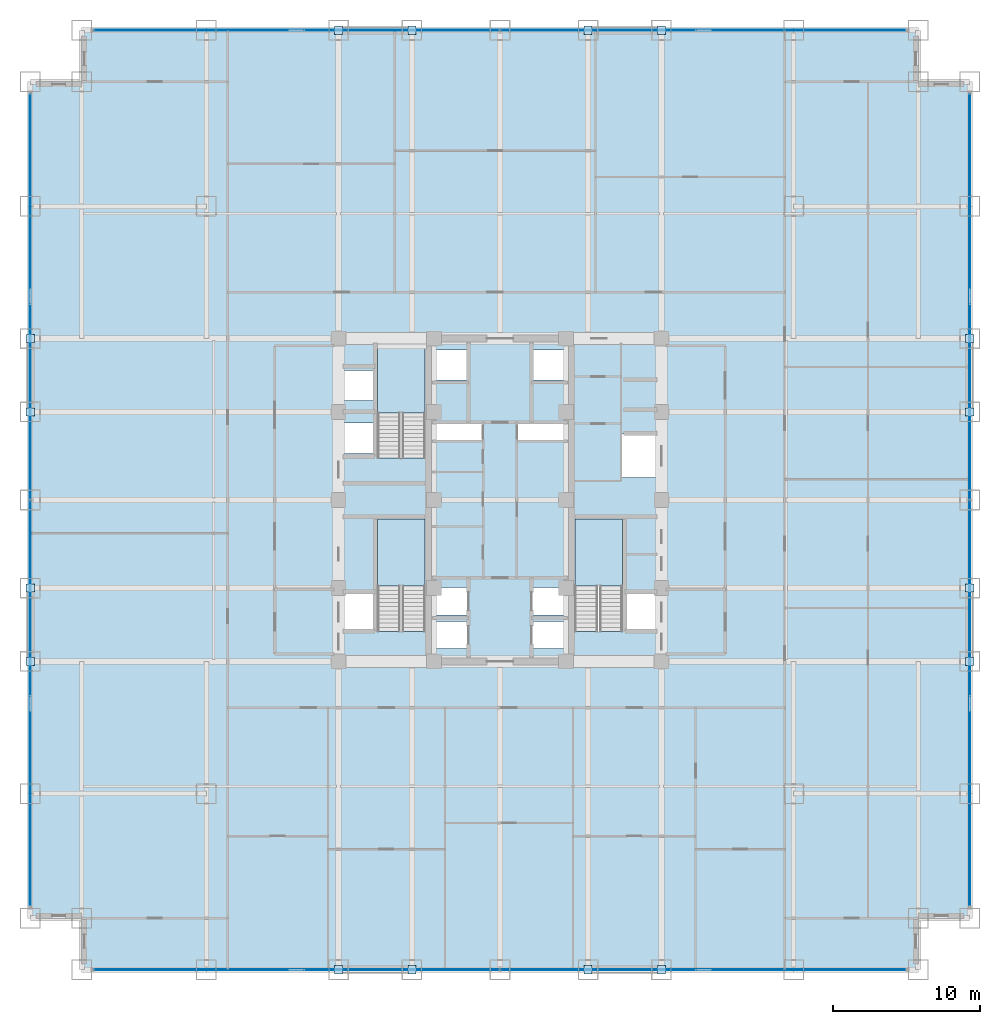
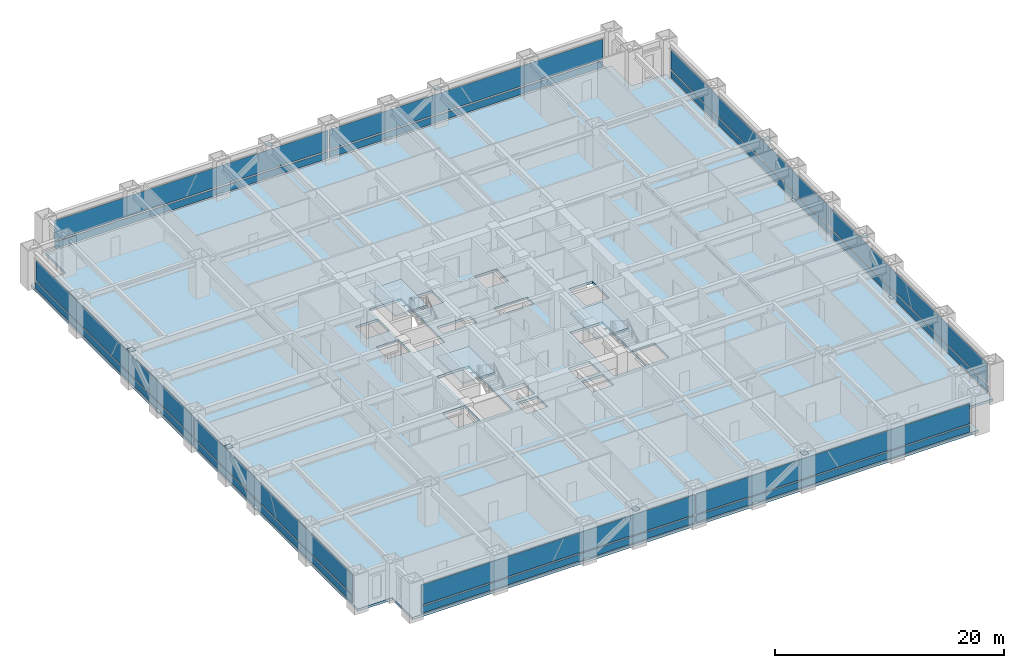
# One storey, part 22 of 28: 32 plates, 4 slabs, 7 elements without a shape of their own.
"""IFC4 building model written with IfcOpenShell, lengths in metres."""

import ifcopenshell
import ifcopenshell.guid

model = None  # the IFC model being written
_history = None  # IfcOwnerHistory: only IFC2X3 demands one
_inside = {}  # id of a spatial element -> (the spatial element, [elements in it])
_under = {}  # id of a project, library or spatial element -> (it, [spatial elements below it])
_declared = {}  # id of a project -> (the project, [libraries it declares])
_typed = {}  # id of a type object -> (the type object, [elements of that type])
_made_of = {}  # id of a material, layer set ... -> (it, [elements and type objects made of it])


def new_model(schema):
    """Start an empty IFC model of exactly this schema.

    Asked for "IFC4X3", IfcOpenShell would pick the latest addendum, in which some entities
    have other attributes; the version numbers below select the first issue.
    IFC2X3 requires an IfcOwnerHistory on every rooted entity: one is made here for all.
    """
    global model, _history
    if schema == "IFC4X3":
        model = ifcopenshell.file(schema_version=(4, 3, 0, 0))
    else:
        model = ifcopenshell.file(schema=schema)
    _inside.clear()
    _under.clear()
    _declared.clear()
    _typed.clear()
    _made_of.clear()
    _history = None
    if model.schema == "IFC2X3":
        org = make("IfcOrganization", Name="unknown")
        user = make(
            "IfcPersonAndOrganization",
            ThePerson=make("IfcPerson", FamilyName="unknown"),
            TheOrganization=org,
        )
        app = make(
            "IfcApplication",
            ApplicationDeveloper=org,
            Version="unknown",
            ApplicationFullName="unknown",
            ApplicationIdentifier="unknown",
        )
        _history = make(
            "IfcOwnerHistory",
            OwningUser=user,
            OwningApplication=app,
            ChangeAction="ADDED",
            CreationDate=0,
        )
    return model


def make(cls, **values):
    """One entity of the class cls with the attributes given. An attribute that is None is left unset."""
    return model.create_entity(
        cls, **{name: value for name, value in values.items() if value is not None}
    )


def rooted(cls, **values):
    """An entity with a GlobalId (a new one), such as an element, a storey or a relation."""
    return make(cls, GlobalId=ifcopenshell.guid.new(), OwnerHistory=_history, **values)


def si_unit(unit_type, name, prefix=None):
    """IfcSIUnit, for example si_unit("LENGTHUNIT", "METRE", prefix="MILLI")."""
    return make("IfcSIUnit", UnitType=unit_type, Prefix=prefix, Name=name)


def assignment(units):
    """IfcUnitAssignment: the units of a project."""
    return None if units is None else make("IfcUnitAssignment", Units=units)


def point(xyz):
    """IfcCartesianPoint."""
    return None if xyz is None else make("IfcCartesianPoint", Coordinates=xyz)


def direction(xyz):
    """IfcDirection."""
    return None if xyz is None else make("IfcDirection", DirectionRatios=xyz)


def frame(location, z_axis=None, x_axis=None):
    """IfcAxis2Placement3D, a coordinate frame: its origin and axes. An axis left out is left unset."""
    return make(
        "IfcAxis2Placement3D",
        Location=point(location),
        Axis=direction(z_axis),
        RefDirection=direction(x_axis),
    )


def frame_2d(location, x_axis=None):
    """IfcAxis2Placement2D, a coordinate frame in the plane: its origin and x axis."""
    return make(
        "IfcAxis2Placement2D", Location=point(location), RefDirection=direction(x_axis)
    )


def origin():
    """The frame at (0, 0, 0) with its axes left unset."""
    return frame((0.0, 0.0, 0.0))


def origin_2d():
    """The frame at (0, 0) in the plane with its x axis left unset."""
    return frame_2d((0.0, 0.0))


def place(relative_to, where):
    """IfcLocalPlacement: puts the frame where relative to a parent placement (None: the world)."""
    return make(
        "IfcLocalPlacement", PlacementRelTo=relative_to, RelativePlacement=where
    )


def context(
    kind, dimensions, precision=None, world=None, true_north=None, identifier=None
):
    """IfcGeometricRepresentationContext, for example the 3D "Model" context."""
    return make(
        "IfcGeometricRepresentationContext",
        ContextIdentifier=identifier,
        ContextType=kind,
        CoordinateSpaceDimension=dimensions,
        Precision=precision,
        WorldCoordinateSystem=world,
        TrueNorth=true_north,
    )


def subcontext(parent, identifier, kind, view, scale=None):
    """IfcGeometricRepresentationSubContext, for example "Body" below "Model"."""
    return make(
        "IfcGeometricRepresentationSubContext",
        ContextIdentifier=identifier,
        ContextType=kind,
        ParentContext=parent,
        TargetScale=scale,
        TargetView=view,
    )


def project(units=None, contexts=None):
    """IfcProject with its units and contexts."""
    return rooted(
        "IfcProject",
        Name="project",
        RepresentationContexts=contexts,
        UnitsInContext=assignment(units),
    )


def spatial(cls, under=None, at=None, **own):
    """A site, building, storey or space (cls), placed at a placement, below another one or the project."""
    s = rooted(cls, ObjectPlacement=at, **own)
    if under is not None:
        _under.setdefault(under.id(), (under, []))[1].append(s)
    return s


def polyline(points):
    """IfcPolyline through the points."""
    return make("IfcPolyline", Points=[point(p) for p in points])


def profile(cls, at=None, kind="AREA", **sizes):
    """A parametric profile (cls). Its sizes go by their IFC names, for example OverallWidth=200.0."""
    return make(cls, ProfileType=kind, Position=at, **sizes)


def rectangle(**sizes):
    """IfcRectangleProfileDef."""
    return profile("IfcRectangleProfileDef", **sizes)


def outline(outer, holes=None, kind="AREA"):
    """IfcArbitraryClosedProfileDef: a profile drawn as a closed curve; with holes, ...WithVoids."""
    if holes is None:
        return make("IfcArbitraryClosedProfileDef", ProfileType=kind, OuterCurve=outer)
    return make(
        "IfcArbitraryProfileDefWithVoids",
        ProfileType=kind,
        OuterCurve=outer,
        InnerCurves=holes,
    )


def extrude(swept, where, along, depth):
    """IfcExtrudedAreaSolid: the profile swept, set in the frame where, extruded along a direction by depth."""
    return make(
        "IfcExtrudedAreaSolid",
        SweptArea=swept,
        Position=where,
        ExtrudedDirection=direction(along),
        Depth=depth,
    )


def shape(context_of_items, identifier, shape_type, items):
    """IfcShapeRepresentation: the items that make up one representation, for example the "Body"."""
    return make(
        "IfcShapeRepresentation",
        ContextOfItems=context_of_items,
        RepresentationIdentifier=identifier,
        RepresentationType=shape_type,
        Items=items,
    )


def source(mapping_origin, context_of_items, identifier, shape_type, items):
    """IfcRepresentationMap: a shape defined once, which mapped items show again and again."""
    return make(
        "IfcRepresentationMap",
        MappingOrigin=mapping_origin,
        MappedRepresentation=shape(context_of_items, identifier, shape_type, items),
    )


def transform(
    local_origin,
    x_axis=None,
    y_axis=None,
    z_axis=None,
    scale=None,
    scale2=None,
    scale3=None,
    uniform=True,
):
    """IfcCartesianTransformationOperator3D, or its non-uniform kind. x_axis, y_axis, z_axis: its Axis1, 2, 3."""
    if uniform:
        return make(
            "IfcCartesianTransformationOperator3D",
            Axis1=direction(x_axis),
            Axis2=direction(y_axis),
            LocalOrigin=point(local_origin),
            Scale=scale,
            Axis3=direction(z_axis),
        )
    return make(
        "IfcCartesianTransformationOperator3DnonUniform",
        Axis1=direction(x_axis),
        Axis2=direction(y_axis),
        LocalOrigin=point(local_origin),
        Scale=scale,
        Axis3=direction(z_axis),
        Scale2=scale2,
        Scale3=scale3,
    )


def mapped(mapping_source, mapping_target):
    """IfcMappedItem: shows the shape of a source again, moved by a transform."""
    return make(
        "IfcMappedItem", MappingSource=mapping_source, MappingTarget=mapping_target
    )


def material(Name=None, Category=None):
    """IfcMaterial."""
    return make("IfcMaterial", Name=Name, Category=Category)


def layer(
    of_material, thickness, ventilated=None, Name=None, Category=None, Priority=None
):
    """IfcMaterialLayer: one layer of a wall or slab, of a material (None: an air gap)."""
    return make(
        "IfcMaterialLayer",
        Material=of_material,
        LayerThickness=thickness,
        IsVentilated=ventilated,
        Name=Name,
        Category=Category,
        Priority=Priority,
    )


def layer_set(layers, Name=None):
    """IfcMaterialLayerSet."""
    return make("IfcMaterialLayerSet", MaterialLayers=layers, LayerSetName=Name)


def made_of(thing, what):
    """Note that an element or type object is made of a material, layer set ...; save() writes the relation."""
    if what is not None:
        _made_of.setdefault(what.id(), (what, []))[1].append(thing)
    return thing


def type_object(cls, material=None, **own):
    """A type object (cls), such as IfcWallType, which elements share."""
    return made_of(rooted(cls, **own), material)


def element(
    cls,
    number,
    at=None,
    inside=None,
    cuts=None,
    type_object=None,
    material=None,
    context=None,
    identifier="Body",
    shape_type=None,
    held_by="IfcProductDefinitionShape",
    body=None,
    shapes=None,
    **own,
):
    """One element of the class cls, such as IfcWall. Its Tag is "e" and its number.

    at: its placement. inside: the storey or other place that contains it. cuts: it is an
    opening in that element (IfcRelVoidsElement). A single representation is given by context,
    identifier, shape_type and body (its items); several are given by shapes. held_by: the class
    of the entity that holds the representations. save() writes the other relations.
    """
    e = rooted(cls, Tag="e%d" % number, ObjectPlacement=at, **own)
    if body is not None:
        shapes = [shape(context, identifier, shape_type, body)]
    if shapes is not None:
        e.Representation = make(held_by, Representations=shapes)
    if inside is not None:
        _inside.setdefault(inside.id(), (inside, []))[1].append(e)
    if cuts is not None:
        rooted(
            "IfcRelVoidsElement", RelatingBuildingElement=cuts, RelatedOpeningElement=e
        )
    if type_object is not None:
        _typed.setdefault(type_object.id(), (type_object, []))[1].append(e)
    return made_of(e, material)


def aggregate(whole, parts):
    """IfcRelAggregates: a whole, such as a stair, and the parts it consists of."""
    return rooted("IfcRelAggregates", RelatingObject=whole, RelatedObjects=parts)


def save(model, path):
    """Write the relations noted so far, then the file.

    IfcRelAggregates (storeys below a building ...), IfcRelContainedInSpatialStructure (elements
    in a storey), IfcRelDefinesByType, IfcRelAssociatesMaterial and IfcRelDeclares: one each for
    every whole, place, type object, material and project.
    """
    for whole, parts in _under.values():
        aggregate(whole, parts)
    for where, things in _inside.values():
        rooted(
            "IfcRelContainedInSpatialStructure",
            RelatedElements=things,
            RelatingStructure=where,
        )
    for kind, things in _typed.values():
        rooted("IfcRelDefinesByType", RelatedObjects=things, RelatingType=kind)
    for what, things in _made_of.values():
        rooted("IfcRelAssociatesMaterial", RelatedObjects=things, RelatingMaterial=what)
    for by, libraries in _declared.values():
        rooted("IfcRelDeclares", RelatingContext=by, RelatedDefinitions=libraries)
    model.write(path)


model = new_model("IFC4")

# Units and contexts
model_context = context("Model", 3, precision=1e-05, world=origin(), true_north=direction((0.0, 1.0)))
body_context = subcontext(model_context, "Body", "Model", "MODEL_VIEW")
ifc_project = project(units=[si_unit("LENGTHUNIT", "METRE"), si_unit("AREAUNIT", "SQUARE_METRE"), si_unit("VOLUMEUNIT", "CUBIC_METRE"), si_unit("PLANEANGLEUNIT", "RADIAN"), si_unit("MASSUNIT", "GRAM", prefix="KILO")], contexts=[model_context])

# Site, building, storey
site_placement = place(None, origin())
site = spatial("IfcSite", under=ifc_project, at=site_placement, CompositionType="ELEMENT")
building_placement = place(site_placement, origin())
building = spatial("IfcBuilding", under=site, at=building_placement, Name="Khorayat Bourse Tower", CompositionType="ELEMENT")
storey_placement = place(building_placement, frame((0.0, 0.0, 83.0)))
storey = spatial("IfcBuildingStorey", under=building, at=storey_placement, Name="L18", CompositionType="ELEMENT", Elevation=83.0)

# Stair, slab
ifc_material_1 = material(Name="Concrete C40/50", Category="concrete")
stair_type = type_object("IfcStairType", Name="STR-CORE-1550", PredefinedType="HALF_TURN_STAIR", material=ifc_material_1)
stair_1_placement = place(storey_placement, origin())
stair_1 = element("IfcStair", 1, at=stair_1_placement, inside=storey, type_object=stair_type, Name="L18 Exit Stair ST-1", PredefinedType="HALF_TURN_STAIR")
ifc_layer_1 = layer(ifc_material_1, 0.199951171875)
ifc_layer_set_1 = layer_set([ifc_layer_1], Name="Concrete C40/50")
slab_type_1 = type_object("IfcSlabType", Name="SLB-LANDING-200", PredefinedType="LANDING", material=ifc_layer_set_1)
slab_1_placement = place(storey_placement, frame((0.0, 0.0, 1.89990234375)))
slab_1 = element("IfcSlab", 2, at=slab_1_placement, type_object=slab_type_1, Name="ST-1 landing 1", PredefinedType="LANDING", context=body_context, shape_type="SweptSolid", body=[
    extrude(outline(polyline([(-5.10009765625, -5.8701171875), (-5.10009765625, -1.300048828125), (-8.35009765625, -1.300048828125), (-8.35009765625, -5.8701171875), (-5.10009765625, -5.8701171875)])), origin(), (0.0, 0.0, 1.0), 0.2001953125),
])
aggregate(stair_1, [slab_1])

stair_2_placement = place(storey_placement, origin())
stair_2 = element("IfcStair", 3, at=stair_2_placement, inside=storey, type_object=stair_type, Name="L18 Exit Stair ST-2", PredefinedType="HALF_TURN_STAIR")
slab_2_placement = place(storey_placement, frame((0.0, 0.0, 1.89990234375)))
slab_2 = element("IfcSlab", 4, at=slab_2_placement, type_object=slab_type_1, Name="ST-2 landing 1", PredefinedType="LANDING", context=body_context, shape_type="SweptSolid", body=[
    extrude(outline(polyline([(-5.10009765625, 5.929931640625), (-5.10009765625, 10.5), (-8.35009765625, 10.5), (-8.35009765625, 5.929931640625), (-5.10009765625, 5.929931640625)])), origin(), (0.0, 0.0, 1.0), 0.2001953125),
])
aggregate(stair_2, [slab_2])

stair_3_placement = place(storey_placement, origin())
stair_3 = element("IfcStair", 5, at=stair_3_placement, inside=storey, type_object=stair_type, Name="L18 Exit Stair ST-3", PredefinedType="HALF_TURN_STAIR")
slab_3_placement = place(storey_placement, frame((0.0, 0.0, 1.89990234375)))
slab_3 = element("IfcSlab", 6, at=slab_3_placement, type_object=slab_type_1, Name="ST-3 landing 1", PredefinedType="LANDING", context=body_context, shape_type="SweptSolid", body=[
    extrude(outline(polyline([(8.35009765625, -5.8701171875), (8.35009765625, -1.300048828125), (5.10009765625, -1.300048828125), (5.10009765625, -5.8701171875), (8.35009765625, -5.8701171875)])), origin(), (0.0, 0.0, 1.0), 0.2001953125),
])
aggregate(stair_3, [slab_3])

# Slab
ifc_layer_2 = layer(ifc_material_1, 0.260009765625)
ifc_layer_set_2 = layer_set([ifc_layer_2], Name="Concrete C40/50")
slab_type_2 = type_object("IfcSlabType", Name="SLB-TRADE-260", PredefinedType="FLOOR", material=ifc_layer_set_2)
slab_4_placement = place(storey_placement, frame((0.0, 0.0, -0.260009765625)))
element("IfcSlab", 7, at=slab_4_placement, inside=storey, type_object=slab_type_2, Name="L18 Main Floor Slab", PredefinedType="FLOOR", context=body_context, shape_type="SweptSolid", body=[
    extrude(outline(polyline([(-28.5, -32.0), (28.5, -32.0), (28.5, -28.5), (32.0, -28.5), (32.0, 28.5), (28.5, 28.5), (28.5, 32.0), (-28.5, 32.0), (-28.5, 28.5), (-32.0, 28.5), (-32.0, -28.5), (-28.5, -28.5), (-28.5, -32.0)]), holes=[polyline([(-8.35009765625, -8.945068359375), (-5.10009765625, -8.945068359375), (-5.10009765625, -1.300048828125), (-8.35009765625, -1.300048828125), (-8.35009765625, -8.945068359375)]), polyline([(-8.35009765625, 2.85498046875), (-5.10009765625, 2.85498046875), (-5.10009765625, 10.5), (-8.35009765625, 10.5), (-8.35009765625, 2.85498046875)]), polyline([(5.10009765625, -8.945068359375), (8.35009765625, -8.945068359375), (8.35009765625, -1.300048828125), (5.10009765625, -1.300048828125), (5.10009765625, -8.945068359375)]), polyline([(-4.3798828125, -10.1298828125), (-2.219970703125, -10.1298828125), (-2.219970703125, -8.27001953125), (-4.3798828125, -8.27001953125), (-4.3798828125, -10.1298828125)]), polyline([(2.219970703125, -10.1298828125), (4.3798828125, -10.1298828125), (4.3798828125, -8.27001953125), (2.219970703125, -8.27001953125), (2.219970703125, -10.1298828125)]), polyline([(-4.3798828125, -7.830078125), (-2.219970703125, -7.830078125), (-2.219970703125, -5.969970703125), (-4.3798828125, -5.969970703125), (-4.3798828125, -7.830078125)]), polyline([(2.219970703125, -7.830078125), (4.3798828125, -7.830078125), (4.3798828125, -5.969970703125), (2.219970703125, -5.969970703125), (2.219970703125, -7.830078125)]), polyline([(-4.3798828125, 8.169921875), (-2.1201171875, 8.169921875), (-2.1201171875, 10.22998046875), (-4.3798828125, 10.22998046875), (-4.3798828125, 8.169921875)]), polyline([(2.1201171875, 8.169921875), (4.3798828125, 8.169921875), (4.3798828125, 10.22998046875), (2.1201171875, 10.22998046875), (2.1201171875, 8.169921875)]), polyline([(-10.679931640625, 3.169921875), (-8.419921875, 3.169921875), (-8.419921875, 5.22998046875), (-10.679931640625, 5.22998046875), (-10.679931640625, 3.169921875)]), polyline([(-10.679931640625, 6.77001953125), (-8.419921875, 6.77001953125), (-8.419921875, 8.830078125), (-10.679931640625, 8.830078125), (-10.679931640625, 6.77001953125)]), polyline([(-10.679931640625, -8.929931640625), (-8.419921875, -8.929931640625), (-8.419921875, -6.3701171875), (-10.679931640625, -6.3701171875), (-10.679931640625, -8.929931640625)]), polyline([(8.419921875, -8.929931640625), (10.679931640625, -8.929931640625), (10.679931640625, -6.3701171875), (8.419921875, -6.3701171875), (8.419921875, -8.929931640625)]), polyline([(8.320068359375, 1.52001953125), (10.679931640625, 1.52001953125), (10.679931640625, 4.47998046875), (8.320068359375, 4.47998046875), (8.320068359375, 1.52001953125)]), polyline([(-4.56005859375, 4.080078125), (-1.18994140625, 4.080078125), (-1.18994140625, 5.219970703125), (-4.56005859375, 5.219970703125), (-4.56005859375, 4.080078125)]), polyline([(1.18994140625, 4.080078125), (4.56005859375, 4.080078125), (4.56005859375, 5.219970703125), (1.18994140625, 5.219970703125), (1.18994140625, 4.080078125)])]), origin(), (0.0, 0.0, 1.0), 0.260009765625),
])

# Plates
ifc_material_2 = material(Name="Steel EN 10025-2 S355J2", Category="steel")
ifc_layer_3 = layer(ifc_material_2, 0.02490234375)
ifc_layer_set_3 = layer_set([ifc_layer_3], Name="Steel EN 10025-2 S355J2")
plate_type_1 = type_object("IfcPlateType", Name="PLT-ENDCAP-25", PredefinedType="SHEET", material=ifc_layer_set_3)
shared_shape_1 = source(origin(), body_context, "Body", "SweptSolid", [
    extrude(rectangle(XDim=0.56005859375, YDim=0.56005859375, at=origin_2d()), origin(), (0.0, 0.0, 1.0), 0.02490234375),
])
for number, where, z_axis, x_axis, name in (
    (8, (-11.0, -32.0, 0.237548828125), (0.0, 0.0, 1.0), (1.0, 0.0, 0.0), "L18 Perimeter Brace End Plate 001"),
    (9, (-6.0, -32.0, 3.677490234375), (0.0, 0.0, 1.0), (1.0, 0.0, 0.0), "L18 Perimeter Brace End Plate 002"),
    (10, (6.0, -32.0, 0.237548828125), (0.0, 0.0, 1.0), (1.0, 0.0, 0.0), "L18 Perimeter Brace End Plate 003"),
    (11, (11.0, -32.0, 3.677490234375), (0.0, 0.0, 1.0), (1.0, 0.0, 0.0), "L18 Perimeter Brace End Plate 004"),
    (12, (-11.0, 32.0, 0.237548828125), (0.0, 0.0, 1.0), (1.0, 0.0, 0.0), "L18 Perimeter Brace End Plate 005"),
    (13, (-6.0, 32.0, 3.677490234375), (0.0, 0.0, 1.0), (1.0, 0.0, 0.0), "L18 Perimeter Brace End Plate 006"),
    (14, (6.0, 32.0, 0.237548828125), (0.0, 0.0, 1.0), (1.0, 0.0, 0.0), "L18 Perimeter Brace End Plate 007"),
    (15, (11.0, 32.0, 3.677490234375), (0.0, 0.0, 1.0), (1.0, 0.0, 0.0), "L18 Perimeter Brace End Plate 008"),
    (16, (-32.0, -11.0, 0.237548828125), (0.0, 0.0, 1.0), (1.0, 0.0, 0.0), "L18 Perimeter Brace End Plate 009"),
    (17, (-32.0, -6.0, 3.677490234375), (0.0, 0.0, 1.0), (1.0, 0.0, 0.0), "L18 Perimeter Brace End Plate 010"),
    (18, (-32.0, 6.0, 0.237548828125), (0.0, 0.0, 1.0), (1.0, 0.0, 0.0), "L18 Perimeter Brace End Plate 011"),
    (19, (-32.0, 11.0, 3.677490234375), (0.0, 0.0, 1.0), (1.0, 0.0, 0.0), "L18 Perimeter Brace End Plate 012"),
    (20, (32.0, -11.0, 0.237548828125), (0.0, 0.0, 1.0), (1.0, 0.0, 0.0), "L18 Perimeter Brace End Plate 013"),
    (21, (32.0, -6.0, 3.677490234375), (0.0, 0.0, 1.0), (1.0, 0.0, 0.0), "L18 Perimeter Brace End Plate 014"),
    (22, (32.0, 6.0, 0.237548828125), (0.0, 0.0, 1.0), (1.0, 0.0, 0.0), "L18 Perimeter Brace End Plate 015"),
    (23, (32.0, 11.0, 3.677490234375), (0.0, 0.0, 1.0), (1.0, 0.0, 0.0), "L18 Perimeter Brace End Plate 016"),
):
    element("IfcPlate", number, at=place(storey_placement, frame(where, z_axis=z_axis, x_axis=x_axis)), inside=storey, type_object=plate_type_1, Name=name, PredefinedType="SHEET", context=body_context, shape_type="MappedRepresentation", body=[
        mapped(shared_shape_1, transform((0.0, 0.0, 0.0), scale=1.0)),
    ])

# Curtain wall, plates
ifc_material_3 = material(Name="Aluminium EN AW-6063 T6", Category="aluminium")
curtain_wall_type = type_object("IfcCurtainWallType", Name="CW-SYS-02", PredefinedType="NOTDEFINED", material=ifc_material_3)
curtain_wall_1_placement = place(storey_placement, origin())
curtain_wall_1 = element("IfcCurtainWall", 24, at=curtain_wall_1_placement, inside=storey, type_object=curtain_wall_type, Name="L18 Curtain Wall CW-L18-S1", PredefinedType="NOTDEFINED")
ifc_material_4 = material(Name="Honed desert limestone insulated spandrel", Category="masonry")
ifc_layer_4 = layer(ifc_material_4, 0.06494140625)
ifc_layer_set_4 = layer_set([ifc_layer_4], Name="Honed desert limestone insulated spandrel")
plate_type_2 = type_object("IfcPlateType", Name="CWP-SPAND-03", PredefinedType="CURTAIN_PANEL", material=ifc_layer_set_4)
shared_shape_2 = source(origin(), body_context, "Body", "SweptSolid", [
    extrude(rectangle(XDim=27.5400390625, YDim=0.06494140625, at=origin_2d()), origin(), (0.0, 0.0, 1.0), 0.739990234375),
])
plate_1_placement = place(storey_placement, frame((-13.840087890625, -32.0, 0.14013671875), z_axis=(0.0, 0.0, 1.0), x_axis=(1.0, 0.0, 0.0)))
plate_1 = element("IfcPlate", 25, at=plate_1_placement, type_object=plate_type_2, Name="CW-L18-S1 Spandrel Panel 1-1", PredefinedType="CURTAIN_PANEL", context=body_context, shape_type="MappedRepresentation", body=[
    mapped(shared_shape_2, transform((0.0, 0.0, 0.0), scale=1.0)),
])
plate_2_placement = place(storey_placement, frame((13.840087890625, -32.0, 0.14013671875), z_axis=(0.0, 0.0, 1.0), x_axis=(1.0, 0.0, 0.0)))
plate_2 = element("IfcPlate", 26, at=plate_2_placement, type_object=plate_type_2, Name="CW-L18-S1 Spandrel Panel 2-1", PredefinedType="CURTAIN_PANEL", context=body_context, shape_type="MappedRepresentation", body=[
    mapped(shared_shape_2, transform((0.0, 0.0, 0.0), scale=1.0)),
])

curtain_wall_2_placement = place(storey_placement, origin())
curtain_wall_2 = element("IfcCurtainWall", 27, at=curtain_wall_2_placement, inside=storey, type_object=curtain_wall_type, Name="L18 Curtain Wall CW-L18-N1", PredefinedType="NOTDEFINED")
plate_3_placement = place(storey_placement, frame((-13.840087890625, 32.0, 0.14013671875), z_axis=(0.0, 0.0, 1.0), x_axis=(1.0, 0.0, 0.0)))
plate_3 = element("IfcPlate", 28, at=plate_3_placement, type_object=plate_type_2, Name="CW-L18-N1 Spandrel Panel 1-1", PredefinedType="CURTAIN_PANEL", context=body_context, shape_type="MappedRepresentation", body=[
    mapped(shared_shape_2, transform((0.0, 0.0, 0.0), scale=1.0)),
])
plate_4_placement = place(storey_placement, frame((13.840087890625, 32.0, 0.14013671875), z_axis=(0.0, 0.0, 1.0), x_axis=(1.0, 0.0, 0.0)))
plate_4 = element("IfcPlate", 29, at=plate_4_placement, type_object=plate_type_2, Name="CW-L18-N1 Spandrel Panel 2-1", PredefinedType="CURTAIN_PANEL", context=body_context, shape_type="MappedRepresentation", body=[
    mapped(shared_shape_2, transform((0.0, 0.0, 0.0), scale=1.0)),
])

curtain_wall_3_placement = place(storey_placement, origin())
curtain_wall_3 = element("IfcCurtainWall", 30, at=curtain_wall_3_placement, inside=storey, type_object=curtain_wall_type, Name="L18 Curtain Wall CW-L18-W1", PredefinedType="NOTDEFINED")
plate_5_placement = place(storey_placement, frame((-32.0, -13.840087890625, 0.14013671875), z_axis=(0.0, 0.0, 1.0), x_axis=(0.0, 1.0, 0.0)))
plate_5 = element("IfcPlate", 31, at=plate_5_placement, type_object=plate_type_2, Name="CW-L18-W1 Spandrel Panel 1-1", PredefinedType="CURTAIN_PANEL", context=body_context, shape_type="MappedRepresentation", body=[
    mapped(shared_shape_2, transform((0.0, 0.0, 0.0), scale=1.0)),
])
plate_6_placement = place(storey_placement, frame((-32.0, 13.840087890625, 0.14013671875), z_axis=(0.0, 0.0, 1.0), x_axis=(0.0, 1.0, 0.0)))
plate_6 = element("IfcPlate", 32, at=plate_6_placement, type_object=plate_type_2, Name="CW-L18-W1 Spandrel Panel 2-1", PredefinedType="CURTAIN_PANEL", context=body_context, shape_type="MappedRepresentation", body=[
    mapped(shared_shape_2, transform((0.0, 0.0, 0.0), scale=1.0)),
])

curtain_wall_4_placement = place(storey_placement, origin())
curtain_wall_4 = element("IfcCurtainWall", 33, at=curtain_wall_4_placement, inside=storey, type_object=curtain_wall_type, Name="L18 Curtain Wall CW-L18-E1", PredefinedType="NOTDEFINED")
plate_7_placement = place(storey_placement, frame((32.0, -13.840087890625, 0.14013671875), z_axis=(0.0, 0.0, 1.0), x_axis=(0.0, 1.0, 0.0)))
plate_7 = element("IfcPlate", 34, at=plate_7_placement, type_object=plate_type_2, Name="CW-L18-E1 Spandrel Panel 1-1", PredefinedType="CURTAIN_PANEL", context=body_context, shape_type="MappedRepresentation", body=[
    mapped(shared_shape_2, transform((0.0, 0.0, 0.0), scale=1.0)),
])
plate_8_placement = place(storey_placement, frame((32.0, 13.840087890625, 0.14013671875), z_axis=(0.0, 0.0, 1.0), x_axis=(0.0, 1.0, 0.0)))
plate_8 = element("IfcPlate", 35, at=plate_8_placement, type_object=plate_type_2, Name="CW-L18-E1 Spandrel Panel 2-1", PredefinedType="CURTAIN_PANEL", context=body_context, shape_type="MappedRepresentation", body=[
    mapped(shared_shape_2, transform((0.0, 0.0, 0.0), scale=1.0)),
])

# Plate
ifc_material_5 = material(Name="Low-E solar-control laminated double glazing", Category="glass")
ifc_layer_5 = layer(ifc_material_5, 0.0419921875)
ifc_layer_set_5 = layer_set([ifc_layer_5], Name="Low-E solar-control laminated double glazing")
plate_type_3 = type_object("IfcPlateType", Name="CWP-FACET-02", PredefinedType="CURTAIN_PANEL", material=ifc_layer_set_5)
shared_shape_3 = source(origin(), body_context, "Body", "SweptSolid", [
    extrude(rectangle(XDim=27.5400390625, YDim=0.0419921875, at=origin_2d()), origin(), (0.0, 0.0, 1.0), 2.1298828125),
])
plate_9_placement = place(storey_placement, frame((-13.840087890625, -32.0, 1.02001953125), z_axis=(0.0, 0.0, 1.0), x_axis=(1.0, 0.0, 0.0)))
plate_9 = element("IfcPlate", 36, at=plate_9_placement, type_object=plate_type_3, Name="CW-L18-S1 Vision Panel 1-2", PredefinedType="CURTAIN_PANEL", context=body_context, shape_type="MappedRepresentation", body=[
    mapped(shared_shape_3, transform((0.0, 0.0, 0.0), scale=1.0)),
])

plate_10_placement = place(storey_placement, frame((13.840087890625, -32.0, 1.02001953125), z_axis=(0.0, 0.0, 1.0), x_axis=(1.0, 0.0, 0.0)))
plate_10 = element("IfcPlate", 37, at=plate_10_placement, type_object=plate_type_3, Name="CW-L18-S1 Vision Panel 2-2", PredefinedType="CURTAIN_PANEL", context=body_context, shape_type="MappedRepresentation", body=[
    mapped(shared_shape_3, transform((0.0, 0.0, 0.0), scale=1.0)),
])

aggregate(curtain_wall_1, [plate_1, plate_9, plate_2, plate_10])

plate_11_placement = place(storey_placement, frame((-13.840087890625, 32.0, 1.02001953125), z_axis=(0.0, 0.0, 1.0), x_axis=(1.0, 0.0, 0.0)))
plate_11 = element("IfcPlate", 38, at=plate_11_placement, type_object=plate_type_3, Name="CW-L18-N1 Vision Panel 1-2", PredefinedType="CURTAIN_PANEL", context=body_context, shape_type="MappedRepresentation", body=[
    mapped(shared_shape_3, transform((0.0, 0.0, 0.0), scale=1.0)),
])

plate_12_placement = place(storey_placement, frame((13.840087890625, 32.0, 1.02001953125), z_axis=(0.0, 0.0, 1.0), x_axis=(1.0, 0.0, 0.0)))
plate_12 = element("IfcPlate", 39, at=plate_12_placement, type_object=plate_type_3, Name="CW-L18-N1 Vision Panel 2-2", PredefinedType="CURTAIN_PANEL", context=body_context, shape_type="MappedRepresentation", body=[
    mapped(shared_shape_3, transform((0.0, 0.0, 0.0), scale=1.0)),
])

aggregate(curtain_wall_2, [plate_3, plate_11, plate_4, plate_12])

plate_13_placement = place(storey_placement, frame((-32.0, -13.840087890625, 1.02001953125), z_axis=(0.0, 0.0, 1.0), x_axis=(0.0, 1.0, 0.0)))
plate_13 = element("IfcPlate", 40, at=plate_13_placement, type_object=plate_type_3, Name="CW-L18-W1 Vision Panel 1-2", PredefinedType="CURTAIN_PANEL", context=body_context, shape_type="MappedRepresentation", body=[
    mapped(shared_shape_3, transform((0.0, 0.0, 0.0), scale=1.0)),
])

plate_14_placement = place(storey_placement, frame((-32.0, 13.840087890625, 1.02001953125), z_axis=(0.0, 0.0, 1.0), x_axis=(0.0, 1.0, 0.0)))
plate_14 = element("IfcPlate", 41, at=plate_14_placement, type_object=plate_type_3, Name="CW-L18-W1 Vision Panel 2-2", PredefinedType="CURTAIN_PANEL", context=body_context, shape_type="MappedRepresentation", body=[
    mapped(shared_shape_3, transform((0.0, 0.0, 0.0), scale=1.0)),
])

aggregate(curtain_wall_3, [plate_5, plate_13, plate_6, plate_14])

plate_15_placement = place(storey_placement, frame((32.0, -13.840087890625, 1.02001953125), z_axis=(0.0, 0.0, 1.0), x_axis=(0.0, 1.0, 0.0)))
plate_15 = element("IfcPlate", 42, at=plate_15_placement, type_object=plate_type_3, Name="CW-L18-E1 Vision Panel 1-2", PredefinedType="CURTAIN_PANEL", context=body_context, shape_type="MappedRepresentation", body=[
    mapped(shared_shape_3, transform((0.0, 0.0, 0.0), scale=1.0)),
])

plate_16_placement = place(storey_placement, frame((32.0, 13.840087890625, 1.02001953125), z_axis=(0.0, 0.0, 1.0), x_axis=(0.0, 1.0, 0.0)))
plate_16 = element("IfcPlate", 43, at=plate_16_placement, type_object=plate_type_3, Name="CW-L18-E1 Vision Panel 2-2", PredefinedType="CURTAIN_PANEL", context=body_context, shape_type="MappedRepresentation", body=[
    mapped(shared_shape_3, transform((0.0, 0.0, 0.0), scale=1.0)),
])

aggregate(curtain_wall_4, [plate_7, plate_15, plate_8, plate_16])

save(model, "model.ifc")
